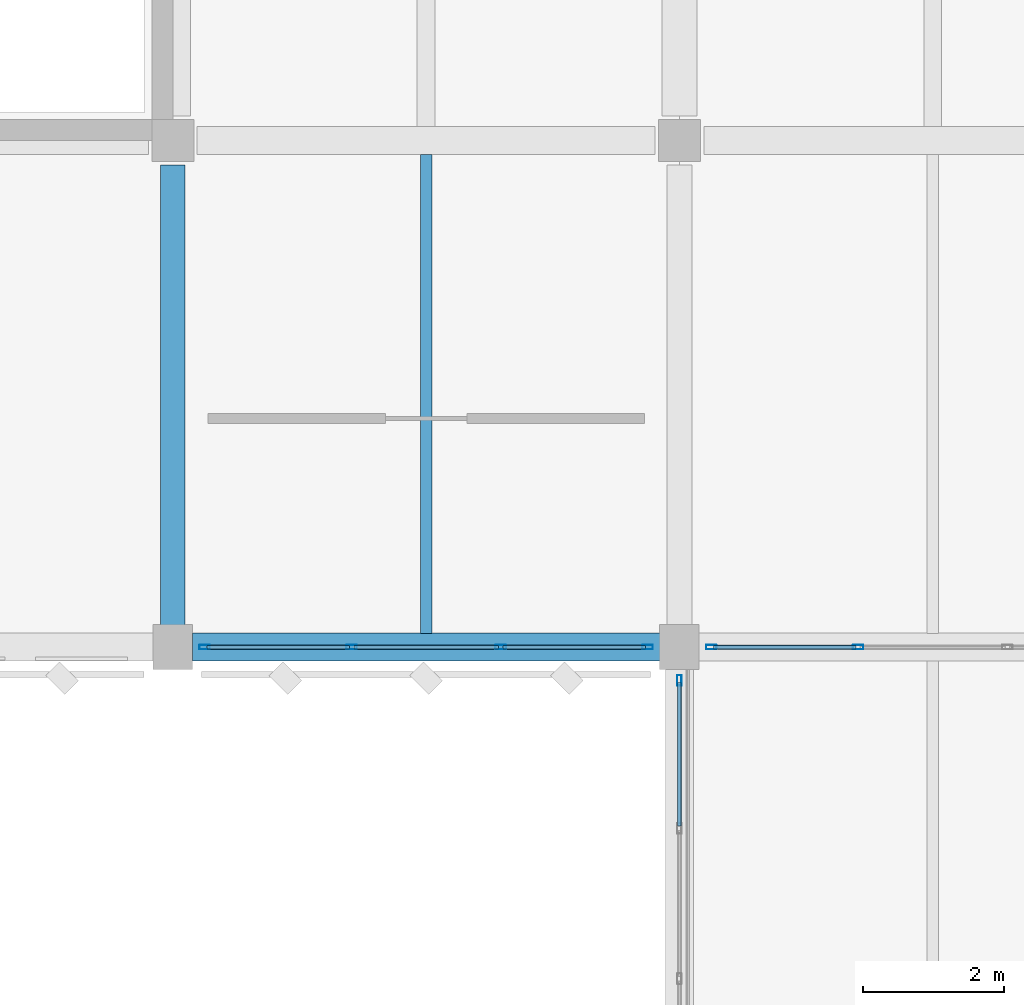
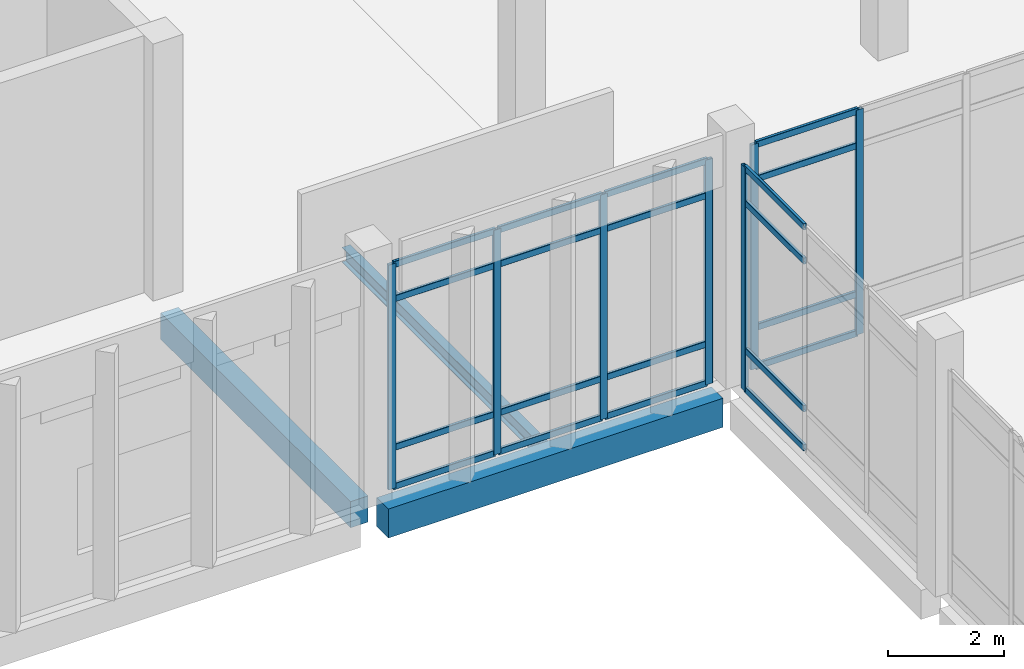
# One storey, part 90 of 180: 27 members, 3 beams, 3 elements without a shape of their own.
"""IFC4 building model written with IfcOpenShell, lengths in metres."""

from ifc_helpers import new_model, si_unit, direction, frame, origin, origin_2d, place, context, subcontext, project, spatial, rectangle, hollow_rectangle, i_section, extrude, material, material_profile, profile_set, type_object, element, aggregate, save


model = new_model("IFC4")

# Units and contexts
model_context = context("Model", 3, precision=1e-05, world=origin(), true_north=direction((0.0, 1.0)))
body_context = subcontext(model_context, "Body", "Model", "MODEL_VIEW")
ifc_project = project(units=[si_unit("LENGTHUNIT", "METRE"), si_unit("AREAUNIT", "SQUARE_METRE"), si_unit("VOLUMEUNIT", "CUBIC_METRE"), si_unit("PLANEANGLEUNIT", "RADIAN"), si_unit("MASSUNIT", "GRAM", prefix="KILO")], contexts=[model_context])

# Site, building, storey
site_placement = place(None, origin())
site = spatial("IfcSite", under=ifc_project, at=site_placement, CompositionType="ELEMENT")
building_placement = place(site_placement, origin())
building = spatial("IfcBuilding", under=site, at=building_placement, Name="Lusvemor Sports Hall", CompositionType="ELEMENT")
storey_placement = place(building_placement, frame((0.0, 0.0, 5.39990234375)))
storey = spatial("IfcBuildingStorey", under=building, at=storey_placement, Name="L01", CompositionType="ELEMENT", Elevation=5.39990234375)

# Beam
ifc_material_1 = material(Name="Concrete C40/50", Category="concrete")
ifc_material_profile_1 = material_profile(ifc_material_1, rectangle(XDim=0.35009765625, YDim=0.550048828125, at=origin_2d()), Name="RC350x550")
ifc_profile_set_1 = profile_set([ifc_material_profile_1], Name="Concrete C40/50")
beam_type_1 = type_object("IfcBeamType", Name="BEAM_RC_550", PredefinedType="BEAM", material=ifc_profile_set_1)
beam_1_placement = place(storey_placement, frame((111.60009765625, 97.51611328125, -0.534912109375), z_axis=(0.0, 1.0, 0.0), x_axis=(-1.0, 0.0, 0.0)))
element("IfcBeam", 1, at=beam_1_placement, inside=storey, type_object=beam_type_1, Name="Beam L01 12:N-P", PredefinedType="BEAM", context=body_context, shape_type="SweptSolid", body=[
    extrude(rectangle(XDim=0.35009765625, YDim=0.550048828125, at=origin_2d()), origin(), (0.0, 0.0, 1.0), 6.537841796875),
])

# Curtain wall, members
ifc_material_2 = material(Name="Thermally broken bronze-anodized aluminium", Category="aluminium")
curtain_wall_type = type_object("IfcCurtainWallType", Name="CW_WING_B", PredefinedType="NOTDEFINED", material=ifc_material_2)
curtain_wall_1_placement = place(storey_placement, origin())
curtain_wall_1 = element("IfcCurtainWall", 2, at=curtain_wall_1_placement, inside=storey, type_object=curtain_wall_type, Name="Curtain Wall CW-L01-S-3-9", PredefinedType="NOTDEFINED")
ifc_material_3 = material(Name="Thermally broken bronze-anodized aluminium", Category="aluminium")
ifc_material_profile_2 = material_profile(ifc_material_3, hollow_rectangle(XDim=0.06494140625, YDim=0.14990234375, WallThickness=0.00390625, InnerFilletRadius=0.00390625, OuterFilletRadius=0.008056640625, at=origin_2d()), Name="CWMUL150x65x4")
ifc_profile_set_2 = profile_set([ifc_material_profile_2], Name="Thermally broken bronze-anodized aluminium")
member_type_1 = type_object("IfcMemberType", Name="CW_MUL_B", PredefinedType="MULLION", material=ifc_profile_set_2)
member_1_placement = place(storey_placement, frame((118.347412109375, 97.199951171875, 0.0), z_axis=(0.0, 0.0, 1.0), x_axis=(0.0, -1.0, 0.0)))
member_1 = element("IfcMember", 3, at=member_1_placement, type_object=member_type_1, Name="CW02 mullion 1", PredefinedType="MULLION", context=body_context, shape_type="SweptSolid", body=[
    extrude(hollow_rectangle(XDim=0.06494140625, YDim=0.14990234375, WallThickness=0.00390625, InnerFilletRadius=0.00390625, OuterFilletRadius=0.008056640625, at=origin_2d()), origin(), (0.0, 0.0, 1.0), 4.72021484375),
])
member_2_placement = place(storey_placement, frame((116.260009765625, 97.199951171875, 0.0), z_axis=(0.0, 0.0, 1.0), x_axis=(0.0, -1.0, 0.0)))
member_2 = element("IfcMember", 4, at=member_2_placement, type_object=member_type_1, Name="CW02 mullion 2", PredefinedType="MULLION", context=body_context, shape_type="SweptSolid", body=[
    extrude(hollow_rectangle(XDim=0.06494140625, YDim=0.14990234375, WallThickness=0.00390625, InnerFilletRadius=0.00390625, OuterFilletRadius=0.008056640625, at=origin_2d()), origin(), (0.0, 0.0, 1.0), 4.72021484375),
])
member_3_placement = place(storey_placement, frame((114.139892578125, 97.199951171875, 0.0), z_axis=(0.0, 0.0, 1.0), x_axis=(0.0, -1.0, 0.0)))
member_3 = element("IfcMember", 5, at=member_3_placement, type_object=member_type_1, Name="CW02 mullion 3", PredefinedType="MULLION", context=body_context, shape_type="SweptSolid", body=[
    extrude(hollow_rectangle(XDim=0.06494140625, YDim=0.14990234375, WallThickness=0.00390625, InnerFilletRadius=0.00390625, OuterFilletRadius=0.008056640625, at=origin_2d()), origin(), (0.0, 0.0, 1.0), 4.72021484375),
])
member_4_placement = place(storey_placement, frame((112.052490234375, 97.199951171875, 0.0), z_axis=(0.0, 0.0, 1.0), x_axis=(0.0, -1.0, 0.0)))
member_4 = element("IfcMember", 6, at=member_4_placement, type_object=member_type_1, Name="CW02 mullion 4", PredefinedType="MULLION", context=body_context, shape_type="SweptSolid", body=[
    extrude(hollow_rectangle(XDim=0.06494140625, YDim=0.14990234375, WallThickness=0.00390625, InnerFilletRadius=0.00390625, OuterFilletRadius=0.008056640625, at=origin_2d()), origin(), (0.0, 0.0, 1.0), 4.72021484375),
])

curtain_wall_2_placement = place(storey_placement, origin())
curtain_wall_2 = element("IfcCurtainWall", 7, at=curtain_wall_2_placement, inside=storey, type_object=curtain_wall_type, Name="Curtain Wall CW-L01-S-3-10", PredefinedType="NOTDEFINED")
member_5_placement = place(storey_placement, frame((121.340087890625, 97.199951171875, 0.0), z_axis=(0.0, 0.0, 1.0), x_axis=(0.0, -1.0, 0.0)))
member_5 = element("IfcMember", 8, at=member_5_placement, type_object=member_type_1, Name="CW02 mullion 3", PredefinedType="MULLION", context=body_context, shape_type="SweptSolid", body=[
    extrude(hollow_rectangle(XDim=0.06494140625, YDim=0.14990234375, WallThickness=0.00390625, InnerFilletRadius=0.00390625, OuterFilletRadius=0.008056640625, at=origin_2d()), origin(), (0.0, 0.0, 1.0), 4.72021484375),
])
member_6_placement = place(storey_placement, frame((119.25244140625, 97.199951171875, 0.0), z_axis=(0.0, 0.0, 1.0), x_axis=(0.0, -1.0, 0.0)))
member_6 = element("IfcMember", 9, at=member_6_placement, type_object=member_type_1, Name="CW02 mullion 4", PredefinedType="MULLION", context=body_context, shape_type="SweptSolid", body=[
    extrude(hollow_rectangle(XDim=0.06494140625, YDim=0.14990234375, WallThickness=0.00390625, InnerFilletRadius=0.00390625, OuterFilletRadius=0.008056640625, at=origin_2d()), origin(), (0.0, 0.0, 1.0), 4.72021484375),
])

# Curtain wall, member
curtain_wall_3_placement = place(storey_placement, origin())
curtain_wall_3 = element("IfcCurtainWall", 10, at=curtain_wall_3_placement, inside=storey, type_object=curtain_wall_type, Name="Curtain Wall CW-V5NE-W-L01-B", PredefinedType="NOTDEFINED")
member_7_placement = place(storey_placement, frame((118.800048828125, 96.7275390625, 0.0), z_axis=(0.0, 0.0, 1.0), x_axis=(-1.0, 0.0, 0.0)))
member_7 = element("IfcMember", 11, at=member_7_placement, type_object=member_type_1, Name="CW02 mullion 4", PredefinedType="MULLION", context=body_context, shape_type="SweptSolid", body=[
    extrude(hollow_rectangle(XDim=0.06494140625, YDim=0.14990234375, WallThickness=0.00390625, InnerFilletRadius=0.00390625, OuterFilletRadius=0.008056640625, at=origin_2d()), origin(), (0.0, 0.0, 1.0), 4.7001953125),
])

# Member
ifc_material_4 = material(Name="Thermally broken bronze-anodized aluminium", Category="aluminium")
ifc_material_profile_3 = material_profile(ifc_material_4, hollow_rectangle(XDim=0.06005859375, YDim=0.135009765625, WallThickness=0.00390625, InnerFilletRadius=0.00390625, OuterFilletRadius=0.008056640625, at=origin_2d()), Name="CWTRN135x60x4")
ifc_profile_set_3 = profile_set([ifc_material_profile_3], Name="Thermally broken bronze-anodized aluminium")
member_type_2 = type_object("IfcMemberType", Name="CW_TRN_B", PredefinedType="USERDEFINED", material=ifc_profile_set_3)
member_8_placement = place(storey_placement, frame((118.31494140625, 97.199951171875, 0.030029296875), z_axis=(-1.0, 0.0, 0.0), x_axis=(0.0, -1.0, 0.0)))
member_8 = element("IfcMember", 12, at=member_8_placement, type_object=member_type_2, Name="CW02 transom 1.1", ObjectType="TRANSOM", PredefinedType="USERDEFINED", context=body_context, shape_type="SweptSolid", body=[
    extrude(hollow_rectangle(XDim=0.06005859375, YDim=0.135009765625, WallThickness=0.00390625, InnerFilletRadius=0.00390625, OuterFilletRadius=0.008056640625, at=origin_2d()), origin(), (0.0, 0.0, 1.0), 2.0224609375),
])

member_9_placement = place(storey_placement, frame((118.31494140625, 97.199951171875, 0.85009765625), z_axis=(-1.0, 0.0, 0.0), x_axis=(0.0, -1.0, 0.0)))
member_9 = element("IfcMember", 13, at=member_9_placement, type_object=member_type_2, Name="CW02 transom 1.2", ObjectType="TRANSOM", PredefinedType="USERDEFINED", context=body_context, shape_type="SweptSolid", body=[
    extrude(hollow_rectangle(XDim=0.06005859375, YDim=0.135009765625, WallThickness=0.00390625, InnerFilletRadius=0.00390625, OuterFilletRadius=0.008056640625, at=origin_2d()), origin(), (0.0, 0.0, 1.0), 2.0224609375),
])

member_10_placement = place(storey_placement, frame((118.31494140625, 97.199951171875, 3.97021484375), z_axis=(-1.0, 0.0, 0.0), x_axis=(0.0, -1.0, 0.0)))
member_10 = element("IfcMember", 14, at=member_10_placement, type_object=member_type_2, Name="CW02 transom 1.3", ObjectType="TRANSOM", PredefinedType="USERDEFINED", context=body_context, shape_type="SweptSolid", body=[
    extrude(hollow_rectangle(XDim=0.06005859375, YDim=0.135009765625, WallThickness=0.00390625, InnerFilletRadius=0.00390625, OuterFilletRadius=0.008056640625, at=origin_2d()), origin(), (0.0, 0.0, 1.0), 2.0224609375),
])

member_11_placement = place(storey_placement, frame((118.31494140625, 97.199951171875, 4.690185546875), z_axis=(-1.0, 0.0, 0.0), x_axis=(0.0, -1.0, 0.0)))
member_11 = element("IfcMember", 15, at=member_11_placement, type_object=member_type_2, Name="CW02 transom 1.4", ObjectType="TRANSOM", PredefinedType="USERDEFINED", context=body_context, shape_type="SweptSolid", body=[
    extrude(hollow_rectangle(XDim=0.06005859375, YDim=0.135009765625, WallThickness=0.00390625, InnerFilletRadius=0.00390625, OuterFilletRadius=0.008056640625, at=origin_2d()), origin(), (0.0, 0.0, 1.0), 2.0224609375),
])

member_12_placement = place(storey_placement, frame((116.2275390625, 97.199951171875, 0.030029296875), z_axis=(-1.0, 0.0, 0.0), x_axis=(0.0, -1.0, 0.0)))
member_12 = element("IfcMember", 16, at=member_12_placement, type_object=member_type_2, Name="CW02 transom 2.1", ObjectType="TRANSOM", PredefinedType="USERDEFINED", context=body_context, shape_type="SweptSolid", body=[
    extrude(hollow_rectangle(XDim=0.06005859375, YDim=0.135009765625, WallThickness=0.00390625, InnerFilletRadius=0.00390625, OuterFilletRadius=0.008056640625, at=origin_2d()), origin(), (0.0, 0.0, 1.0), 2.054931640625),
])

member_13_placement = place(storey_placement, frame((116.2275390625, 97.199951171875, 0.85009765625), z_axis=(-1.0, 0.0, 0.0), x_axis=(0.0, -1.0, 0.0)))
member_13 = element("IfcMember", 17, at=member_13_placement, type_object=member_type_2, Name="CW02 transom 2.2", ObjectType="TRANSOM", PredefinedType="USERDEFINED", context=body_context, shape_type="SweptSolid", body=[
    extrude(hollow_rectangle(XDim=0.06005859375, YDim=0.135009765625, WallThickness=0.00390625, InnerFilletRadius=0.00390625, OuterFilletRadius=0.008056640625, at=origin_2d()), origin(), (0.0, 0.0, 1.0), 2.054931640625),
])

member_14_placement = place(storey_placement, frame((116.2275390625, 97.199951171875, 3.97021484375), z_axis=(-1.0, 0.0, 0.0), x_axis=(0.0, -1.0, 0.0)))
member_14 = element("IfcMember", 18, at=member_14_placement, type_object=member_type_2, Name="CW02 transom 2.3", ObjectType="TRANSOM", PredefinedType="USERDEFINED", context=body_context, shape_type="SweptSolid", body=[
    extrude(hollow_rectangle(XDim=0.06005859375, YDim=0.135009765625, WallThickness=0.00390625, InnerFilletRadius=0.00390625, OuterFilletRadius=0.008056640625, at=origin_2d()), origin(), (0.0, 0.0, 1.0), 2.054931640625),
])

member_15_placement = place(storey_placement, frame((116.2275390625, 97.199951171875, 4.690185546875), z_axis=(-1.0, 0.0, 0.0), x_axis=(0.0, -1.0, 0.0)))
member_15 = element("IfcMember", 19, at=member_15_placement, type_object=member_type_2, Name="CW02 transom 2.4", ObjectType="TRANSOM", PredefinedType="USERDEFINED", context=body_context, shape_type="SweptSolid", body=[
    extrude(hollow_rectangle(XDim=0.06005859375, YDim=0.135009765625, WallThickness=0.00390625, InnerFilletRadius=0.00390625, OuterFilletRadius=0.008056640625, at=origin_2d()), origin(), (0.0, 0.0, 1.0), 2.054931640625),
])

member_16_placement = place(storey_placement, frame((114.107421875, 97.199951171875, 0.030029296875), z_axis=(-1.0, 0.0, 0.0), x_axis=(0.0, -1.0, 0.0)))
member_16 = element("IfcMember", 20, at=member_16_placement, type_object=member_type_2, Name="CW02 transom 3.1", ObjectType="TRANSOM", PredefinedType="USERDEFINED", context=body_context, shape_type="SweptSolid", body=[
    extrude(hollow_rectangle(XDim=0.06005859375, YDim=0.135009765625, WallThickness=0.00390625, InnerFilletRadius=0.00390625, OuterFilletRadius=0.008056640625, at=origin_2d()), origin(), (0.0, 0.0, 1.0), 2.0224609375),
])

member_17_placement = place(storey_placement, frame((114.107421875, 97.199951171875, 0.85009765625), z_axis=(-1.0, 0.0, 0.0), x_axis=(0.0, -1.0, 0.0)))
member_17 = element("IfcMember", 21, at=member_17_placement, type_object=member_type_2, Name="CW02 transom 3.2", ObjectType="TRANSOM", PredefinedType="USERDEFINED", context=body_context, shape_type="SweptSolid", body=[
    extrude(hollow_rectangle(XDim=0.06005859375, YDim=0.135009765625, WallThickness=0.00390625, InnerFilletRadius=0.00390625, OuterFilletRadius=0.008056640625, at=origin_2d()), origin(), (0.0, 0.0, 1.0), 2.0224609375),
])

member_18_placement = place(storey_placement, frame((114.107421875, 97.199951171875, 3.97021484375), z_axis=(-1.0, 0.0, 0.0), x_axis=(0.0, -1.0, 0.0)))
member_18 = element("IfcMember", 22, at=member_18_placement, type_object=member_type_2, Name="CW02 transom 3.3", ObjectType="TRANSOM", PredefinedType="USERDEFINED", context=body_context, shape_type="SweptSolid", body=[
    extrude(hollow_rectangle(XDim=0.06005859375, YDim=0.135009765625, WallThickness=0.00390625, InnerFilletRadius=0.00390625, OuterFilletRadius=0.008056640625, at=origin_2d()), origin(), (0.0, 0.0, 1.0), 2.0224609375),
])

member_19_placement = place(storey_placement, frame((114.107421875, 97.199951171875, 4.690185546875), z_axis=(-1.0, 0.0, 0.0), x_axis=(0.0, -1.0, 0.0)))
member_19 = element("IfcMember", 23, at=member_19_placement, type_object=member_type_2, Name="CW02 transom 3.4", ObjectType="TRANSOM", PredefinedType="USERDEFINED", context=body_context, shape_type="SweptSolid", body=[
    extrude(hollow_rectangle(XDim=0.06005859375, YDim=0.135009765625, WallThickness=0.00390625, InnerFilletRadius=0.00390625, OuterFilletRadius=0.008056640625, at=origin_2d()), origin(), (0.0, 0.0, 1.0), 2.0224609375),
])

aggregate(curtain_wall_1, [member_1, member_2, member_3, member_4, member_8, member_9, member_10, member_11, member_12, member_13, member_14, member_15, member_16, member_17, member_18, member_19])

member_20_placement = place(storey_placement, frame((121.3076171875, 97.199951171875, 0.030029296875), z_axis=(-1.0, 0.0, 0.0), x_axis=(0.0, -1.0, 0.0)))
member_20 = element("IfcMember", 24, at=member_20_placement, type_object=member_type_2, Name="CW02 transom 3.1", ObjectType="TRANSOM", PredefinedType="USERDEFINED", context=body_context, shape_type="SweptSolid", body=[
    extrude(hollow_rectangle(XDim=0.06005859375, YDim=0.135009765625, WallThickness=0.00390625, InnerFilletRadius=0.00390625, OuterFilletRadius=0.008056640625, at=origin_2d()), origin(), (0.0, 0.0, 1.0), 2.022705078125),
])

member_21_placement = place(storey_placement, frame((121.3076171875, 97.199951171875, 0.85009765625), z_axis=(-1.0, 0.0, 0.0), x_axis=(0.0, -1.0, 0.0)))
member_21 = element("IfcMember", 25, at=member_21_placement, type_object=member_type_2, Name="CW02 transom 3.2", ObjectType="TRANSOM", PredefinedType="USERDEFINED", context=body_context, shape_type="SweptSolid", body=[
    extrude(hollow_rectangle(XDim=0.06005859375, YDim=0.135009765625, WallThickness=0.00390625, InnerFilletRadius=0.00390625, OuterFilletRadius=0.008056640625, at=origin_2d()), origin(), (0.0, 0.0, 1.0), 2.022705078125),
])

member_22_placement = place(storey_placement, frame((121.3076171875, 97.199951171875, 3.97021484375), z_axis=(-1.0, 0.0, 0.0), x_axis=(0.0, -1.0, 0.0)))
member_22 = element("IfcMember", 26, at=member_22_placement, type_object=member_type_2, Name="CW02 transom 3.3", ObjectType="TRANSOM", PredefinedType="USERDEFINED", context=body_context, shape_type="SweptSolid", body=[
    extrude(hollow_rectangle(XDim=0.06005859375, YDim=0.135009765625, WallThickness=0.00390625, InnerFilletRadius=0.00390625, OuterFilletRadius=0.008056640625, at=origin_2d()), origin(), (0.0, 0.0, 1.0), 2.022705078125),
])

member_23_placement = place(storey_placement, frame((121.3076171875, 97.199951171875, 4.690185546875), z_axis=(-1.0, 0.0, 0.0), x_axis=(0.0, -1.0, 0.0)))
member_23 = element("IfcMember", 27, at=member_23_placement, type_object=member_type_2, Name="CW02 transom 3.4", ObjectType="TRANSOM", PredefinedType="USERDEFINED", context=body_context, shape_type="SweptSolid", body=[
    extrude(hollow_rectangle(XDim=0.06005859375, YDim=0.135009765625, WallThickness=0.00390625, InnerFilletRadius=0.00390625, OuterFilletRadius=0.008056640625, at=origin_2d()), origin(), (0.0, 0.0, 1.0), 2.022705078125),
])

aggregate(curtain_wall_2, [member_5, member_6, member_20, member_21, member_22, member_23])

member_24_placement = place(storey_placement, frame((118.800048828125, 94.65576171875, 0.030029296875), z_axis=(0.0, 1.0, 0.0), x_axis=(-1.0, 0.0, 0.0)))
member_24 = element("IfcMember", 28, at=member_24_placement, type_object=member_type_2, Name="CW02 transom 3.1", ObjectType="TRANSOM", PredefinedType="USERDEFINED", context=body_context, shape_type="SweptSolid", body=[
    extrude(hollow_rectangle(XDim=0.06005859375, YDim=0.135009765625, WallThickness=0.00390625, InnerFilletRadius=0.00390625, OuterFilletRadius=0.008056640625, at=origin_2d()), origin(), (0.0, 0.0, 1.0), 2.039306640625),
])

member_25_placement = place(storey_placement, frame((118.800048828125, 94.65576171875, 0.85009765625), z_axis=(0.0, 1.0, 0.0), x_axis=(-1.0, 0.0, 0.0)))
member_25 = element("IfcMember", 29, at=member_25_placement, type_object=member_type_2, Name="CW02 transom 3.2", ObjectType="TRANSOM", PredefinedType="USERDEFINED", context=body_context, shape_type="SweptSolid", body=[
    extrude(hollow_rectangle(XDim=0.06005859375, YDim=0.135009765625, WallThickness=0.00390625, InnerFilletRadius=0.00390625, OuterFilletRadius=0.008056640625, at=origin_2d()), origin(), (0.0, 0.0, 1.0), 2.039306640625),
])

member_26_placement = place(storey_placement, frame((118.800048828125, 94.65576171875, 3.9501953125), z_axis=(0.0, 1.0, 0.0), x_axis=(-1.0, 0.0, 0.0)))
member_26 = element("IfcMember", 30, at=member_26_placement, type_object=member_type_2, Name="CW02 transom 3.3", ObjectType="TRANSOM", PredefinedType="USERDEFINED", context=body_context, shape_type="SweptSolid", body=[
    extrude(hollow_rectangle(XDim=0.06005859375, YDim=0.135009765625, WallThickness=0.00390625, InnerFilletRadius=0.00390625, OuterFilletRadius=0.008056640625, at=origin_2d()), origin(), (0.0, 0.0, 1.0), 2.039306640625),
])

member_27_placement = place(storey_placement, frame((118.800048828125, 94.65576171875, 4.670166015625), z_axis=(0.0, 1.0, 0.0), x_axis=(-1.0, 0.0, 0.0)))
member_27 = element("IfcMember", 31, at=member_27_placement, type_object=member_type_2, Name="CW02 transom 3.4", ObjectType="TRANSOM", PredefinedType="USERDEFINED", context=body_context, shape_type="SweptSolid", body=[
    extrude(hollow_rectangle(XDim=0.06005859375, YDim=0.135009765625, WallThickness=0.00390625, InnerFilletRadius=0.00390625, OuterFilletRadius=0.008056640625, at=origin_2d()), origin(), (0.0, 0.0, 1.0), 2.039306640625),
])

aggregate(curtain_wall_3, [member_7, member_24, member_25, member_26, member_27])

# Beams
ifc_material_5 = material(Name="Steel S355", Category="steel")
ifc_material_profile_4 = material_profile(ifc_material_5, i_section(OverallWidth=0.1669921875, OverallDepth=0.31689453125, WebThickness=0.007568359375, FlangeThickness=0.01318359375, FilletRadius=0.014892578125, at=origin_2d()), Name="W310x52.0")
ifc_profile_set_4 = profile_set([ifc_material_profile_4], Name="Steel S355")
beam_type_2 = type_object("IfcBeamType", Name="JOIST_ST_310M", PredefinedType="JOIST", material=ifc_profile_set_4)
beam_2_placement = place(storey_placement, frame((115.199951171875, 97.39599609375, -0.42236328125), z_axis=(0.0, 1.0, 0.0), x_axis=(-1.0, 0.0, 0.0)))
element("IfcBeam", 32, at=beam_2_placement, inside=storey, type_object=beam_type_2, Name="Secondary Joist L01 12-13/N-P #1", PredefinedType="JOIST", context=body_context, shape_type="SweptSolid", body=[
    extrude(i_section(OverallWidth=0.1669921875, OverallDepth=0.31689453125, WebThickness=0.007568359375, FlangeThickness=0.01318359375, FilletRadius=0.014892578125, at=origin_2d()), origin(), (0.0, 0.0, 1.0), 6.80810546875),
])
ifc_material_6 = material(Name="Concrete C40/50", Category="concrete")
ifc_material_profile_5 = material_profile(ifc_material_6, rectangle(XDim=0.39990234375, YDim=0.610107421875, at=origin_2d()), Name="RC400x610")
ifc_profile_set_5 = profile_set([ifc_material_profile_5], Name="Concrete C40/50")
beam_type_3 = type_object("IfcBeamType", Name="SPAND_EXT_650", PredefinedType="SPANDREL", material=ifc_profile_set_5)
beam_3_placement = place(storey_placement, frame((111.8759765625, 97.199951171875, -0.56494140625), z_axis=(1.0, 0.0, 0.0), x_axis=(0.0, 1.0, 0.0)))
element("IfcBeam", 33, at=beam_3_placement, inside=storey, type_object=beam_type_3, Name="Beam L01 N:12-13", PredefinedType="SPANDREL", context=body_context, shape_type="SweptSolid", body=[
    extrude(rectangle(XDim=0.39990234375, YDim=0.610107421875, at=origin_2d()), origin(), (0.0, 0.0, 1.0), 6.64794921875),
])

save(model, "model.ifc")
